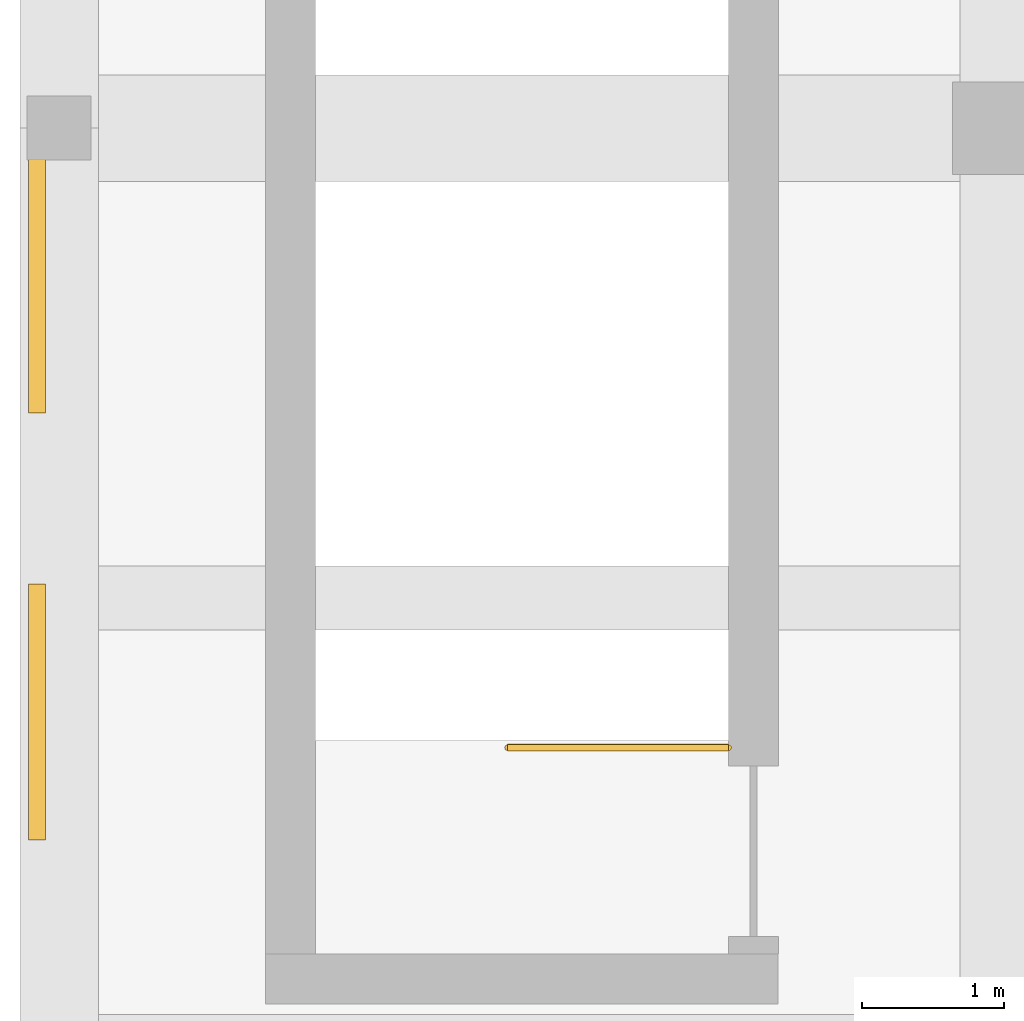
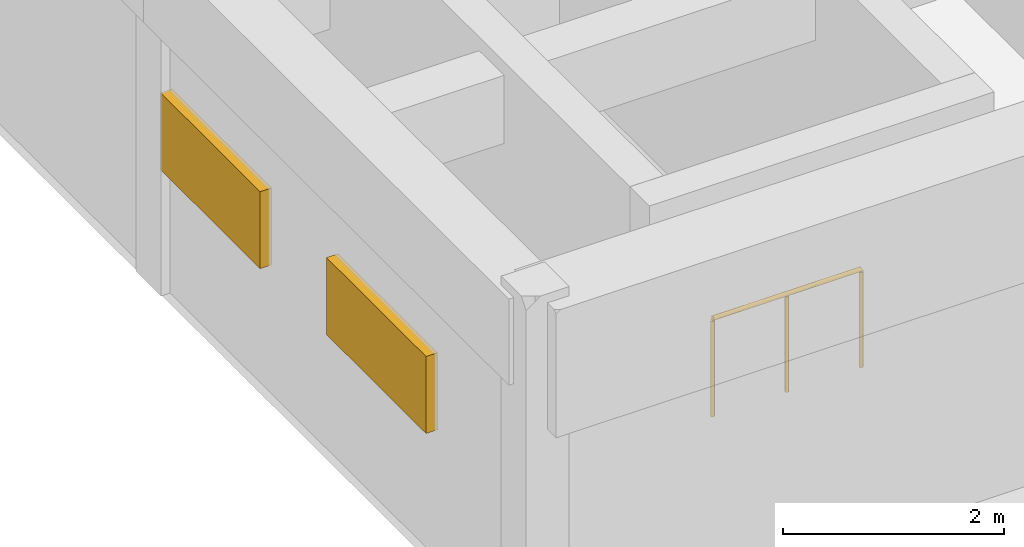
# One storey, part 104 of 106: 2 shading devices, 1 railing.
"""IFC4 building model written with IfcOpenShell, lengths in metres."""

from ifc_helpers import new_model, si_unit, direction, frame, origin, origin_2d, place, context, subcontext, project, spatial, rectangle, circle, extrude, material, layer, layer_set, type_object, element, save


model = new_model("IFC4")

# Units and contexts
model_context = context("Model", 3, precision=1e-05, world=origin(), true_north=direction((0.0, 1.0)))
body_context = subcontext(model_context, "Body", "Model", "MODEL_VIEW")
ifc_project = project(units=[si_unit("LENGTHUNIT", "METRE"), si_unit("AREAUNIT", "SQUARE_METRE"), si_unit("VOLUMEUNIT", "CUBIC_METRE"), si_unit("PLANEANGLEUNIT", "RADIAN"), si_unit("MASSUNIT", "GRAM", prefix="KILO")], contexts=[model_context])

# Site, building, storey
site_placement = place(None, origin())
site = spatial("IfcSite", under=ifc_project, at=site_placement, CompositionType="ELEMENT")
building_placement = place(site_placement, origin())
building = spatial("IfcBuilding", under=site, at=building_placement, Name="Karori Crest Natural Sciences Institute", CompositionType="ELEMENT")
storey_placement = place(building_placement, frame((0.0, 0.0, 25.89990234375)))
storey = spatial("IfcBuildingStorey", under=building, at=storey_placement, Name="L06", CompositionType="ELEMENT", Elevation=25.89990234375)

# Railing
ifc_material_1 = material(Name="Stainless steel 316 stair guard", Category="steel")
railing_type = type_object("IfcRailingType", Name="RLT-STG", PredefinedType="GUARDRAIL", material=ifc_material_1)
railing_placement = place(storey_placement, frame((12.10009765625, 97.25, 0.0)))
element("IfcRailing", 1, at=railing_placement, inside=storey, type_object=railing_type, Name="Stair top well guard RL-0269", PredefinedType="GUARDRAIL", context=body_context, shape_type="SweptSolid", body=[
    extrude(circle(Radius=0.02392578125, at=origin_2d()), frame((0.0, 0.0, 1.076171875), z_axis=(-1.0, 0.0, 0.0), x_axis=(0.0, -1.0, 0.0)), (0.0, 0.0, 1.0), 1.550048828125),
    extrude(circle(Radius=0.02099609375, at=origin_2d()), origin(), (0.0, 0.0, 1.0), 1.052001953125),
    extrude(circle(Radius=0.02099609375, at=origin_2d()), frame((-0.77490234375, 0.0, 0.0)), (0.0, 0.0, 1.0), 1.052001953125),
    extrude(circle(Radius=0.02099609375, at=origin_2d()), frame((-1.550048828125, 0.0, 0.0)), (0.0, 0.0, 1.0), 1.052001953125),
])

# Shading devices
ifc_material_2 = material(Name="Anodised architectural aluminium 6063-T6", Category="aluminium")
ifc_layer = layer(ifc_material_2, 0.080078125, Name="Anodised architectural aluminium 6063-T6")
ifc_layer_set = layer_set([ifc_layer], Name="Anodised architectural aluminium 6063-T6")
shading_device_type = type_object("IfcShadingDeviceType", Name="SDT-LVR", PredefinedType="USERDEFINED", material=ifc_layer_set)
for number, where, z_axis, x_axis, name in (
    (2, (7.2451171875, 97.5, 1.375), (0.0, 0.0, 1.0), (1.0, 0.0, 0.0), "Acoustic weather louvre LV-0003"),
    (3, (7.2451171875, 100.5, 1.375), (0.0, 0.0, 1.0), (1.0, 0.0, 0.0), "Acoustic weather louvre LV-0004"),
):
    element("IfcShadingDevice", number, at=place(storey_placement, frame(where, z_axis=z_axis, x_axis=x_axis)), inside=storey, type_object=shading_device_type, Name=name, ObjectType="LOUVRE", PredefinedType="USERDEFINED", context=body_context, shape_type="SweptSolid", body=[
        extrude(rectangle(XDim=0.1201171875, YDim=1.800048828125, at=origin_2d()), origin(), (0.0, 0.0, 1.0), 0.85009765625),
    ])

save(model, "model.ifc")
